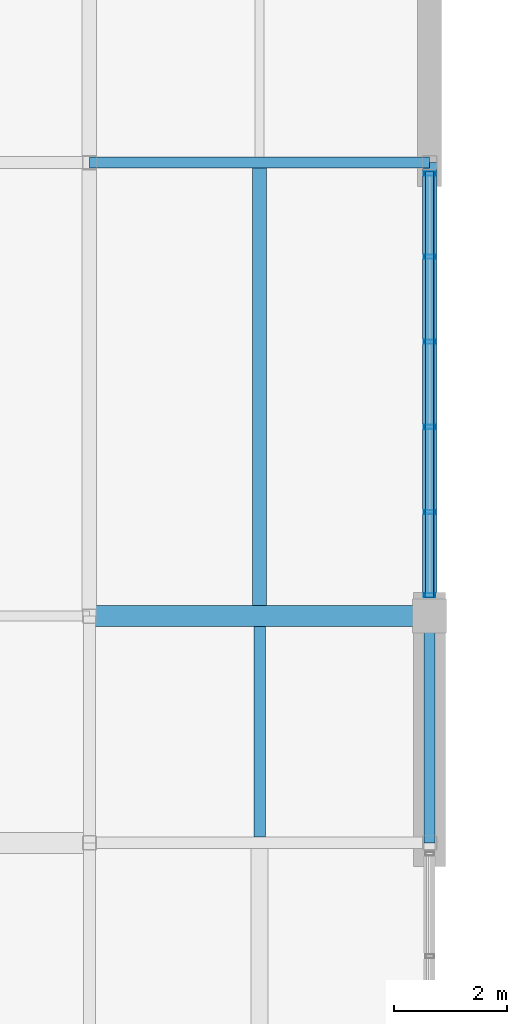
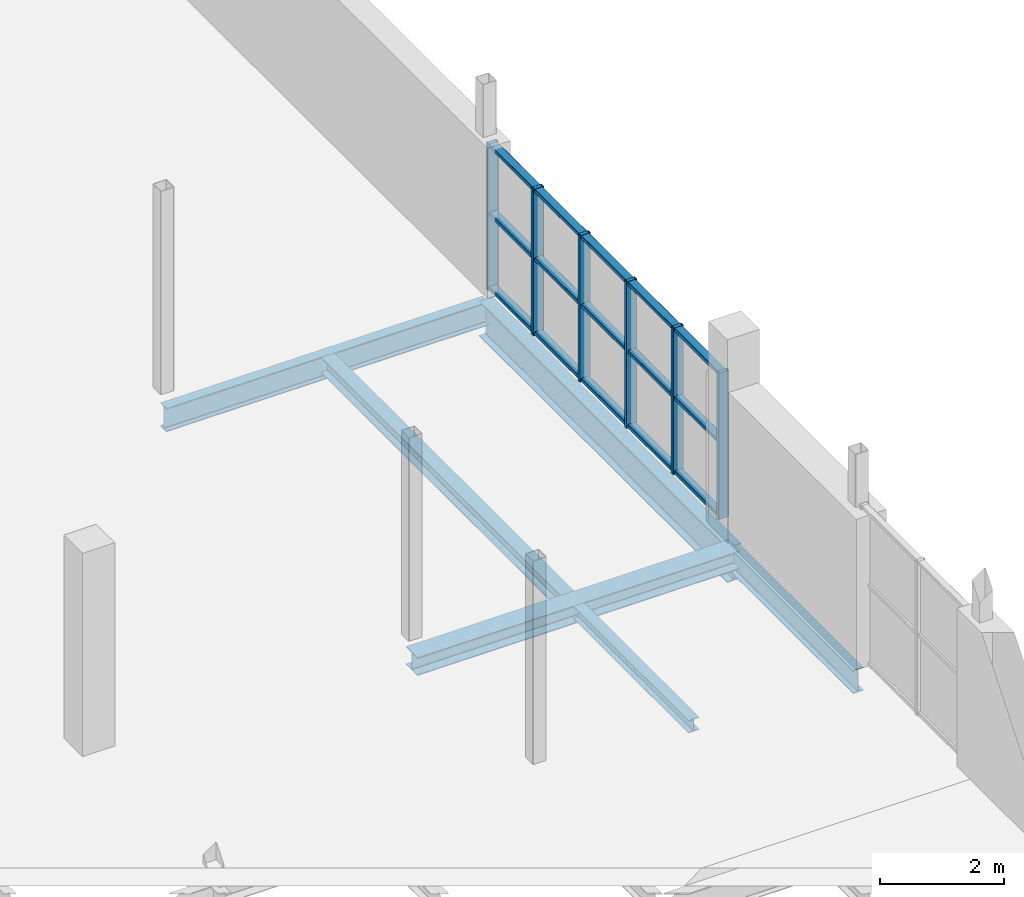
# One storey, part 19 of 35: 9 members, 6 beams, 1 element without a shape of its own.
"""IFC4 building model written with IfcOpenShell, lengths in metres."""

from ifc_helpers import new_model, si_unit, direction, frame, origin, origin_2d, place, context, subcontext, project, spatial, hollow_rectangle, i_section, extrude, material, material_profile, profile_set, type_object, element, aggregate, save


model = new_model("IFC4")

# Units and contexts
model_context = context("Model", 3, precision=1e-05, world=origin(), true_north=direction((0.0, 1.0)))
body_context = subcontext(model_context, "Body", "Model", "MODEL_VIEW")
ifc_project = project(units=[si_unit("LENGTHUNIT", "METRE"), si_unit("AREAUNIT", "SQUARE_METRE"), si_unit("VOLUMEUNIT", "CUBIC_METRE"), si_unit("PLANEANGLEUNIT", "RADIAN"), si_unit("MASSUNIT", "GRAM", prefix="KILO")], contexts=[model_context])

# Site, building, storey
site_placement = place(None, origin())
site = spatial("IfcSite", under=ifc_project, at=site_placement, CompositionType="ELEMENT")
building_placement = place(site_placement, origin())
building = spatial("IfcBuilding", under=site, at=building_placement, Name="Verrall Gate Interchange", CompositionType="ELEMENT")
storey_placement = place(building_placement, frame((0.0, 0.0, 15.39990234375)))
storey = spatial("IfcBuildingStorey", under=building, at=storey_placement, Name="L04", CompositionType="ELEMENT", Elevation=15.39990234375)

# Beams
ifc_material_1 = material(Name="Structural Steel CSA G40.21 350WT Cat 4", Category="steel")
ifc_material_profile_1 = material_profile(ifc_material_1, i_section(OverallWidth=0.256103515625, OverallDepth=0.693115234375, WebThickness=0.01318359375, FlangeThickness=0.02001953125, FilletRadius=0.01611328125, at=origin_2d()), Name="W690x170")
ifc_profile_set_1 = profile_set([ifc_material_profile_1], Name="Structural Steel CSA G40.21 350WT Cat 4")
beam_type_1 = type_object("IfcBeamType", Name="B-07 Structural Beam W690x170", PredefinedType="BEAM", material=ifc_profile_set_1)
beam_1_placement = place(storey_placement, frame((36.0, 48.0, -0.676513671875), z_axis=(0.0, 1.0, 0.0), x_axis=(-1.0, 0.0, 0.0)))
element("IfcBeam", 1, at=beam_1_placement, inside=storey, type_object=beam_type_1, Name="L04 Girder BM-L04-2719 (B-07)", PredefinedType="BEAM", context=body_context, shape_type="SweptSolid", body=[
    extrude(i_section(OverallWidth=0.256103515625, OverallDepth=0.693115234375, WebThickness=0.01318359375, FlangeThickness=0.02001953125, FilletRadius=0.01611328125, at=origin_2d()), origin(), (0.0, 0.0, 1.0), 8.0),
])
ifc_material_2 = material(Name="Structural Steel CSA G40.21 350W", Category="steel")
ifc_material_profile_2 = material_profile(ifc_material_2, i_section(OverallWidth=0.19189453125, OverallDepth=0.462890625, WebThickness=0.010498046875, FlangeThickness=0.017578125, FilletRadius=0.012939453125, at=origin_2d()), Name="W460x89")
ifc_profile_set_2 = profile_set([ifc_material_profile_2], Name="Structural Steel CSA G40.21 350W")
beam_type_2 = type_object("IfcBeamType", Name="B-11 Structural Beam W460x89", PredefinedType="BEAM", material=ifc_profile_set_2)
beam_2_placement = place(storey_placement, frame((30.0, 56.0, -0.5615234375), z_axis=(1.0, 0.0, 0.0), x_axis=(0.0, 1.0, 0.0)))
element("IfcBeam", 2, at=beam_2_placement, inside=storey, type_object=beam_type_2, Name="L04 Girder BM-L04-2613 (B-11)", PredefinedType="BEAM", context=body_context, shape_type="SweptSolid", body=[
    extrude(i_section(OverallWidth=0.19189453125, OverallDepth=0.462890625, WebThickness=0.010498046875, FlangeThickness=0.017578125, FilletRadius=0.012939453125, at=origin_2d()), origin(), (0.0, 0.0, 1.0), 6.0),
])
beam_3_placement = place(storey_placement, frame((36.0, 44.0, -0.5615234375), z_axis=(0.0, 1.0, 0.0), x_axis=(-1.0, 0.0, 0.0)))
element("IfcBeam", 3, at=beam_3_placement, inside=storey, type_object=beam_type_2, Name="L04 Girder BM-L04-2718 (B-11)", PredefinedType="BEAM", context=body_context, shape_type="SweptSolid", body=[
    extrude(i_section(OverallWidth=0.19189453125, OverallDepth=0.462890625, WebThickness=0.010498046875, FlangeThickness=0.017578125, FilletRadius=0.012939453125, at=origin_2d()), origin(), (0.0, 0.0, 1.0), 4.0),
])
ifc_material_3 = material(Name="Structural Steel CSA G40.21 350W", Category="steel")
ifc_material_profile_3 = material_profile(ifc_material_3, i_section(OverallWidth=0.368896484375, OverallDepth=0.35595703125, WebThickness=0.01123046875, FlangeThickness=0.01806640625, FilletRadius=0.014892578125, at=origin_2d()), Name="W360x134")
ifc_profile_set_3 = profile_set([ifc_material_profile_3], Name="Structural Steel CSA G40.21 350W")
beam_type_3 = type_object("IfcBeamType", Name="B-13 Structural Beam W360x134", PredefinedType="BEAM", material=ifc_profile_set_3)
beam_4_placement = place(storey_placement, frame((30.0, 48.0, -0.5078125), z_axis=(1.0, 0.0, 0.0), x_axis=(0.0, 1.0, 0.0)))
element("IfcBeam", 4, at=beam_4_placement, inside=storey, type_object=beam_type_3, Name="L04 Girder BM-L04-2609 (B-13)", PredefinedType="BEAM", context=body_context, shape_type="SweptSolid", body=[
    extrude(i_section(OverallWidth=0.368896484375, OverallDepth=0.35595703125, WebThickness=0.01123046875, FlangeThickness=0.01806640625, FilletRadius=0.014892578125, at=origin_2d()), origin(), (0.0, 0.0, 1.0), 6.0),
])

# Curtain wall, members
ifc_material_4 = material(Name="Thermally Broken Anodized Aluminium Curtain Wall Framing", Category="aluminium")
curtain_wall_type = type_object("IfcCurtainWallType", Name="CW-33 Unitized Curtain Wall 7509x2880", PredefinedType="NOTDEFINED", material=ifc_material_4)
curtain_wall_placement = place(storey_placement, origin())
curtain_wall = element("IfcCurtainWall", 5, at=curtain_wall_placement, inside=storey, type_object=curtain_wall_type, Name="L04 Unitized Curtain Wall CW-L04-131", PredefinedType="NOTDEFINED")
ifc_material_5 = material(Name="Thermally Broken Anodized Aluminium Curtain Wall Framing", Category="aluminium")
ifc_material_profile_4 = material_profile(ifc_material_5, hollow_rectangle(XDim=0.074951171875, YDim=0.199951171875, WallThickness=0.0048828125, InnerFilletRadius=0.0048828125, OuterFilletRadius=0.010009765625, at=origin_2d()), Name="CWM200x75x5")
ifc_profile_set_4 = profile_set([ifc_material_profile_4], Name="Thermally Broken Anodized Aluminium Curtain Wall Framing")
member_type_1 = type_object("IfcMemberType", Name="CM-02 Curtain Mullion CWM200x75x5", PredefinedType="MULLION", material=ifc_profile_set_4)
member_1_placement = place(storey_placement, frame((36.0, 48.369384765625, 0.0), z_axis=(0.0, 0.0, 1.0), x_axis=(0.0, 1.0, 0.0)))
member_1 = element("IfcMember", 6, at=member_1_placement, type_object=member_type_1, Name="CW-L04-131 Mullion 1", PredefinedType="MULLION", context=body_context, shape_type="SweptSolid", body=[
    extrude(hollow_rectangle(XDim=0.074951171875, YDim=0.199951171875, WallThickness=0.0048828125, InnerFilletRadius=0.0048828125, OuterFilletRadius=0.010009765625, at=origin_2d()), origin(), (0.0, 0.0, 1.0), 2.880126953125),
])
member_2_placement = place(storey_placement, frame((36.0, 49.833740234375, 0.0), z_axis=(0.0, 0.0, 1.0), x_axis=(0.0, 1.0, 0.0)))
member_2 = element("IfcMember", 7, at=member_2_placement, type_object=member_type_1, Name="CW-L04-131 Mullion 2", PredefinedType="MULLION", context=body_context, shape_type="SweptSolid", body=[
    extrude(hollow_rectangle(XDim=0.074951171875, YDim=0.199951171875, WallThickness=0.0048828125, InnerFilletRadius=0.0048828125, OuterFilletRadius=0.010009765625, at=origin_2d()), origin(), (0.0, 0.0, 1.0), 2.880126953125),
])
member_3_placement = place(storey_placement, frame((36.0, 51.335693359375, 0.0), z_axis=(0.0, 0.0, 1.0), x_axis=(0.0, 1.0, 0.0)))
member_3 = element("IfcMember", 8, at=member_3_placement, type_object=member_type_1, Name="CW-L04-131 Mullion 3", PredefinedType="MULLION", context=body_context, shape_type="SweptSolid", body=[
    extrude(hollow_rectangle(XDim=0.074951171875, YDim=0.199951171875, WallThickness=0.0048828125, InnerFilletRadius=0.0048828125, OuterFilletRadius=0.010009765625, at=origin_2d()), origin(), (0.0, 0.0, 1.0), 2.880126953125),
])
member_4_placement = place(storey_placement, frame((36.0, 52.83740234375, 0.0), z_axis=(0.0, 0.0, 1.0), x_axis=(0.0, 1.0, 0.0)))
member_4 = element("IfcMember", 9, at=member_4_placement, type_object=member_type_1, Name="CW-L04-131 Mullion 4", PredefinedType="MULLION", context=body_context, shape_type="SweptSolid", body=[
    extrude(hollow_rectangle(XDim=0.074951171875, YDim=0.199951171875, WallThickness=0.0048828125, InnerFilletRadius=0.0048828125, OuterFilletRadius=0.010009765625, at=origin_2d()), origin(), (0.0, 0.0, 1.0), 2.880126953125),
])
member_5_placement = place(storey_placement, frame((36.0, 54.339111328125, 0.0), z_axis=(0.0, 0.0, 1.0), x_axis=(0.0, 1.0, 0.0)))
member_5 = element("IfcMember", 10, at=member_5_placement, type_object=member_type_1, Name="CW-L04-131 Mullion 5", PredefinedType="MULLION", context=body_context, shape_type="SweptSolid", body=[
    extrude(hollow_rectangle(XDim=0.074951171875, YDim=0.199951171875, WallThickness=0.0048828125, InnerFilletRadius=0.0048828125, OuterFilletRadius=0.010009765625, at=origin_2d()), origin(), (0.0, 0.0, 1.0), 2.880126953125),
])
member_6_placement = place(storey_placement, frame((36.0, 55.803466796875, 0.0), z_axis=(0.0, 0.0, 1.0), x_axis=(0.0, 1.0, 0.0)))
member_6 = element("IfcMember", 11, at=member_6_placement, type_object=member_type_1, Name="CW-L04-131 Mullion 6", PredefinedType="MULLION", context=body_context, shape_type="SweptSolid", body=[
    extrude(hollow_rectangle(XDim=0.074951171875, YDim=0.199951171875, WallThickness=0.0048828125, InnerFilletRadius=0.0048828125, OuterFilletRadius=0.010009765625, at=origin_2d()), origin(), (0.0, 0.0, 1.0), 2.880126953125),
])
ifc_material_6 = material(Name="Thermally Broken Anodized Aluminium Curtain Wall Framing", Category="aluminium")
ifc_material_profile_5 = material_profile(ifc_material_6, hollow_rectangle(XDim=0.14990234375, YDim=0.074951171875, WallThickness=0.00439453125, InnerFilletRadius=0.00439453125, OuterFilletRadius=0.009033203125, at=origin_2d()), Name="CWT150x75x4.5")
ifc_profile_set_5 = profile_set([ifc_material_profile_5], Name="Thermally Broken Anodized Aluminium Curtain Wall Framing")
member_type_2 = type_object("IfcMemberType", Name="CT-02 Curtain Transom CWT150x75x4.5", PredefinedType="USERDEFINED", material=ifc_profile_set_5)
member_7_placement = place(storey_placement, frame((36.0, 48.33203125, 0.03759765625), z_axis=(0.0, 1.0, 0.0), x_axis=(-1.0, 0.0, 0.0)))
member_7 = element("IfcMember", 12, at=member_7_placement, type_object=member_type_2, Name="CW-L04-131 Transom 1", ObjectType="TRANSOM", PredefinedType="USERDEFINED", context=body_context, shape_type="SweptSolid", body=[
    extrude(hollow_rectangle(XDim=0.14990234375, YDim=0.074951171875, WallThickness=0.00439453125, InnerFilletRadius=0.00439453125, OuterFilletRadius=0.009033203125, at=origin_2d()), origin(), (0.0, 0.0, 1.0), 7.509033203125),
])
member_8_placement = place(storey_placement, frame((36.0, 48.33203125, 1.497802734375), z_axis=(0.0, 1.0, 0.0), x_axis=(-1.0, 0.0, 0.0)))
member_8 = element("IfcMember", 13, at=member_8_placement, type_object=member_type_2, Name="CW-L04-131 Transom 2", ObjectType="TRANSOM", PredefinedType="USERDEFINED", context=body_context, shape_type="SweptSolid", body=[
    extrude(hollow_rectangle(XDim=0.14990234375, YDim=0.074951171875, WallThickness=0.00439453125, InnerFilletRadius=0.00439453125, OuterFilletRadius=0.009033203125, at=origin_2d()), origin(), (0.0, 0.0, 1.0), 7.509033203125),
])
member_9_placement = place(storey_placement, frame((36.0, 48.33203125, 2.842529296875), z_axis=(0.0, 1.0, 0.0), x_axis=(-1.0, 0.0, 0.0)))
member_9 = element("IfcMember", 14, at=member_9_placement, type_object=member_type_2, Name="CW-L04-131 Transom 3", ObjectType="TRANSOM", PredefinedType="USERDEFINED", context=body_context, shape_type="SweptSolid", body=[
    extrude(hollow_rectangle(XDim=0.14990234375, YDim=0.074951171875, WallThickness=0.00439453125, InnerFilletRadius=0.00439453125, OuterFilletRadius=0.009033203125, at=origin_2d()), origin(), (0.0, 0.0, 1.0), 7.509033203125),
])
aggregate(curtain_wall, [member_1, member_2, member_3, member_4, member_5, member_6, member_7, member_8, member_9])

# Beams
ifc_material_7 = material(Name="Structural Steel CSA G40.21 350W", Category="steel")
ifc_material_profile_6 = material_profile(ifc_material_7, i_section(OverallWidth=0.25390625, OverallDepth=0.305908203125, WebThickness=0.0087890625, FlangeThickness=0.0146484375, FilletRadius=0.012939453125, at=origin_2d()), Name="W310x79")
ifc_profile_set_6 = profile_set([ifc_material_profile_6], Name="Structural Steel CSA G40.21 350W")
beam_type_4 = type_object("IfcBeamType", Name="J-03 Floor Joist W310x79", PredefinedType="JOIST", material=ifc_profile_set_6)
beam_5_placement = place(storey_placement, frame((33.0, 48.1845703125, -0.48291015625), z_axis=(0.0, 1.0, 0.0), x_axis=(-1.0, 0.0, 0.0)))
element("IfcBeam", 15, at=beam_5_placement, inside=storey, type_object=beam_type_4, Name="L04 Secondary Floor Joist JST-L04-2831", PredefinedType="JOIST", context=body_context, shape_type="SweptSolid", body=[
    extrude(i_section(OverallWidth=0.25390625, OverallDepth=0.305908203125, WebThickness=0.0087890625, FlangeThickness=0.0146484375, FilletRadius=0.012939453125, at=origin_2d()), origin(), (0.0, 0.0, 1.0), 7.719482421875),
])
ifc_material_8 = material(Name="Structural Steel CSA G40.21 350W", Category="steel")
ifc_material_profile_7 = material_profile(ifc_material_8, i_section(OverallWidth=0.201904296875, OverallDepth=0.2470703125, WebThickness=0.00732421875, FlangeThickness=0.010986328125, FilletRadius=0.010986328125, at=origin_2d()), Name="W250x49")
ifc_profile_set_7 = profile_set([ifc_material_profile_7], Name="Structural Steel CSA G40.21 350W")
beam_type_5 = type_object("IfcBeamType", Name="J-06 Floor Joist W250x49", PredefinedType="JOIST", material=ifc_profile_set_7)
beam_6_placement = place(storey_placement, frame((33.0, 44.1025390625, -0.453369140625), z_axis=(0.0, 1.0, 0.0), x_axis=(-1.0, 0.0, 0.0)))
element("IfcBeam", 16, at=beam_6_placement, inside=storey, type_object=beam_type_5, Name="L04 Secondary Floor Joist JST-L04-2828", PredefinedType="JOIST", context=body_context, shape_type="SweptSolid", body=[
    extrude(i_section(OverallWidth=0.201904296875, OverallDepth=0.2470703125, WebThickness=0.00732421875, FlangeThickness=0.010986328125, FilletRadius=0.010986328125, at=origin_2d()), origin(), (0.0, 0.0, 1.0), 3.712890625),
])

save(model, "model.ifc")
